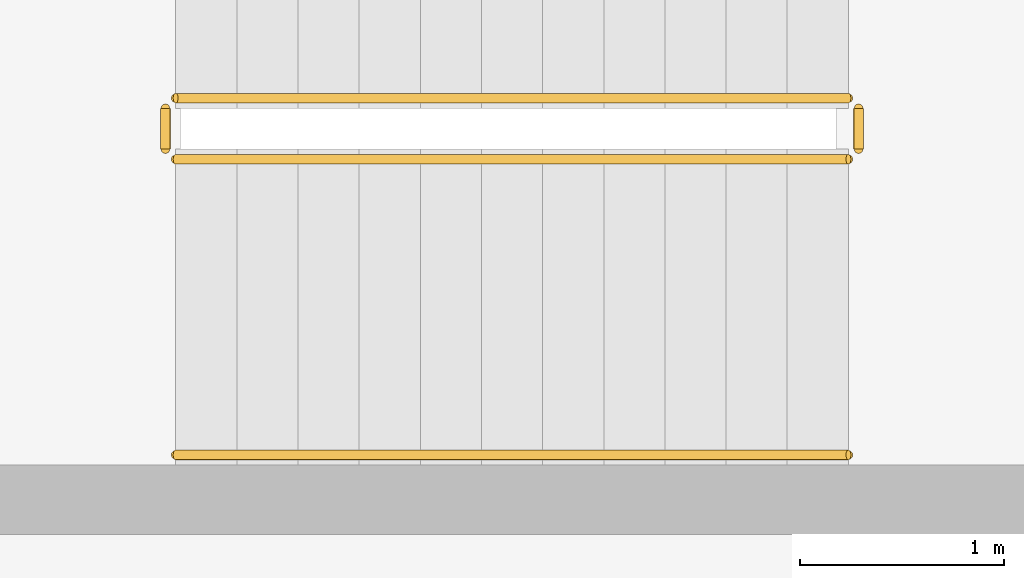
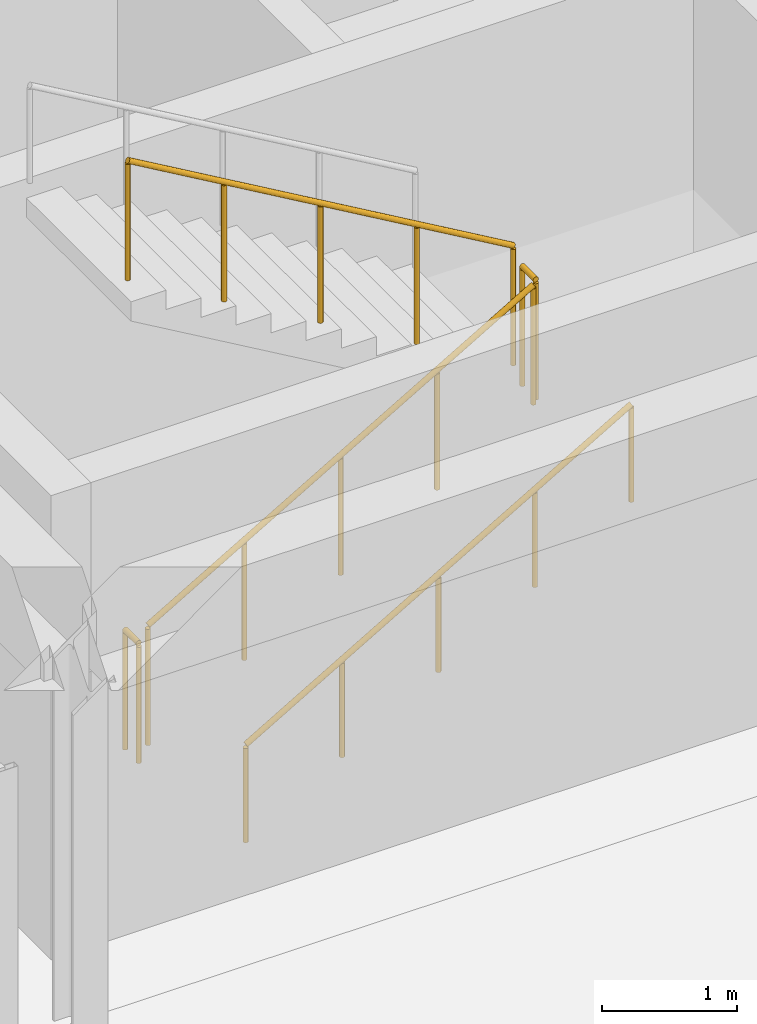
# One storey, part 70 of 74: 5 railings.
"""IFC4 building model written with IfcOpenShell, lengths in metres."""

from ifc_helpers import new_model, si_unit, direction, frame, origin, origin_2d, place, context, subcontext, project, spatial, circle, extrude, material, type_object, element, save


model = new_model("IFC4")

# Units and contexts
model_context = context("Model", 3, precision=1e-05, world=origin(), true_north=direction((0.0, 1.0)))
body_context = subcontext(model_context, "Body", "Model", "MODEL_VIEW")
ifc_project = project(units=[si_unit("LENGTHUNIT", "METRE"), si_unit("AREAUNIT", "SQUARE_METRE"), si_unit("VOLUMEUNIT", "CUBIC_METRE"), si_unit("PLANEANGLEUNIT", "RADIAN"), si_unit("MASSUNIT", "GRAM", prefix="KILO")], contexts=[model_context])

# Site, building, storey
site_placement = place(None, origin())
site = spatial("IfcSite", under=ifc_project, at=site_placement, CompositionType="ELEMENT")
building_placement = place(site_placement, origin())
building = spatial("IfcBuilding", under=site, at=building_placement, Name="Korsvaeld Concert Hall", CompositionType="ELEMENT")
storey_placement = place(building_placement, frame((0.0, 0.0, 9.0)))
storey = spatial("IfcBuildingStorey", under=building, at=storey_placement, Name="L02", CompositionType="ELEMENT", Elevation=9.0)

# Railings
ifc_material_1 = material(Name="Powder-coated steel and bronze stair guardrail", Category="steel")
railing_type_1 = type_object("IfcRailingType", Name="RL-STAIR-GUARD-120", PredefinedType="GUARDRAIL", material=ifc_material_1)
railing_1_placement = place(storey_placement, frame((111.320068359375, 45.8701171875, 0.175048828125)))
element("IfcRailing", 1, at=railing_1_placement, inside=storey, type_object=railing_type_1, Name="L02 ST-K4 stair guard 1", PredefinedType="GUARDRAIL", context=body_context, shape_type="SweptSolid", body=[
    extrude(circle(Radius=0.02392578125, at=origin_2d()), frame((0.0, 0.0, 1.076171875), z_axis=(0.863776583165, 0.0, 0.503874998761), x_axis=(0.0, 1.0, 0.0)), (0.0, 0.0, 1.0), 3.820556640625),
    extrude(circle(Radius=0.02099609375, at=origin_2d()), origin(), (0.0, 0.0, 1.0), 1.052001953125),
    extrude(circle(Radius=0.02099609375, at=origin_2d()), frame((0.824951171875, 0.0, 0.481201171875)), (0.0, 0.0, 1.0), 1.052001953125),
    extrude(circle(Radius=0.02099609375, at=origin_2d()), frame((1.64990234375, 0.0, 0.96240234375)), (0.0, 0.0, 1.0), 1.052001953125),
    extrude(circle(Radius=0.02099609375, at=origin_2d()), frame((2.47509765625, 0.0, 1.44384765625)), (0.0, 0.0, 1.0), 1.052001953125),
    extrude(circle(Radius=0.02099609375, at=origin_2d()), frame((3.300048828125, 0.0, 1.925048828125)), (0.0, 0.0, 1.0), 1.052001953125),
])
railing_2_placement = place(storey_placement, frame((114.669921875, 45.919921875, 2.10009765625)))
element("IfcRailing", 2, at=railing_2_placement, inside=storey, type_object=railing_type_1, Name="L02 ST-K4 stair guard 2", PredefinedType="GUARDRAIL", context=body_context, shape_type="SweptSolid", body=[
    extrude(circle(Radius=0.02392578125, at=origin_2d()), frame((0.0, 0.0, 1.076171875), z_axis=(0.0, 1.0, 0.0), x_axis=(-1.0, 0.0, 0.0)), (0.0, 0.0, 1.0), 0.2001953125),
    extrude(circle(Radius=0.02099609375, at=origin_2d()), origin(), (0.0, 0.0, 1.0), 1.052001953125),
    extrude(circle(Radius=0.02099609375, at=origin_2d()), frame((0.0, 0.2001953125, 0.0)), (0.0, 0.0, 1.0), 1.052001953125),
])
railing_3_placement = place(storey_placement, frame((114.6201171875, 46.169921875, 2.27490234375)))
element("IfcRailing", 3, at=railing_3_placement, inside=storey, type_object=railing_type_1, Name="L02 ST-K4 stair guard 3", PredefinedType="GUARDRAIL", context=body_context, shape_type="SweptSolid", body=[
    extrude(circle(Radius=0.02392578125, at=origin_2d()), frame((0.0, 0.0, 1.076171875), z_axis=(-0.863776583165, 0.0, 0.503874998761), x_axis=(0.0, -1.0, 0.0)), (0.0, 0.0, 1.0), 3.820556640625),
    extrude(circle(Radius=0.02099609375, at=origin_2d()), origin(), (0.0, 0.0, 1.0), 1.052001953125),
    extrude(circle(Radius=0.02099609375, at=origin_2d()), frame((-0.824951171875, 0.0, 0.481201171875)), (0.0, 0.0, 1.0), 1.052001953125),
    extrude(circle(Radius=0.02099609375, at=origin_2d()), frame((-1.64990234375, 0.0, 0.96240234375)), (0.0, 0.0, 1.0), 1.052001953125),
    extrude(circle(Radius=0.02099609375, at=origin_2d()), frame((-2.47509765625, 0.0, 1.44384765625)), (0.0, 0.0, 1.0), 1.052001953125),
    extrude(circle(Radius=0.02099609375, at=origin_2d()), frame((-3.300048828125, 0.0, 1.925048828125)), (0.0, 0.0, 1.0), 1.052001953125),
])
railing_4_placement = place(storey_placement, frame((111.27001953125, 45.919921875, 0.0)))
element("IfcRailing", 4, at=railing_4_placement, inside=storey, type_object=railing_type_1, Name="L02 ST-K4 stair guard 4", PredefinedType="GUARDRAIL", context=body_context, shape_type="SweptSolid", body=[
    extrude(circle(Radius=0.02392578125, at=origin_2d()), frame((0.0, 0.0, 1.076171875), z_axis=(0.0, 1.0, 0.0), x_axis=(-1.0, 0.0, 0.0)), (0.0, 0.0, 1.0), 0.2001953125),
    extrude(circle(Radius=0.02099609375, at=origin_2d()), origin(), (0.0, 0.0, 1.0), 1.052001953125),
    extrude(circle(Radius=0.02099609375, at=origin_2d()), frame((0.0, 0.2001953125, 0.0)), (0.0, 0.0, 1.0), 1.052001953125),
])
ifc_material_2 = material(Name="European oak and bronze stair handrail")
railing_type_2 = type_object("IfcRailingType", Name="RL-STAIR-HAND-90", PredefinedType="HANDRAIL", material=ifc_material_2)
railing_5_placement = place(storey_placement, frame((111.320068359375, 44.419921875, 0.175048828125)))
element("IfcRailing", 5, at=railing_5_placement, inside=storey, type_object=railing_type_2, Name="L02 ST-K4 stair handrail 1", PredefinedType="HANDRAIL", context=body_context, shape_type="SweptSolid", body=[
    extrude(circle(Radius=0.02392578125, at=origin_2d()), frame((0.0, 0.0, 0.8759765625), z_axis=(0.863776583165, 0.0, 0.503874998761), x_axis=(0.0, 1.0, 0.0)), (0.0, 0.0, 1.0), 3.820556640625),
    extrude(circle(Radius=0.02099609375, at=origin_2d()), origin(), (0.0, 0.0, 1.0), 0.851806640625),
    extrude(circle(Radius=0.02099609375, at=origin_2d()), frame((0.824951171875, 0.0, 0.481201171875)), (0.0, 0.0, 1.0), 0.851806640625),
    extrude(circle(Radius=0.02099609375, at=origin_2d()), frame((1.64990234375, 0.0, 0.96240234375)), (0.0, 0.0, 1.0), 0.851806640625),
    extrude(circle(Radius=0.02099609375, at=origin_2d()), frame((2.47509765625, 0.0, 1.44384765625)), (0.0, 0.0, 1.0), 0.851806640625),
    extrude(circle(Radius=0.02099609375, at=origin_2d()), frame((3.300048828125, 0.0, 1.925048828125)), (0.0, 0.0, 1.0), 0.851806640625),
])

save(model, "model.ifc")
